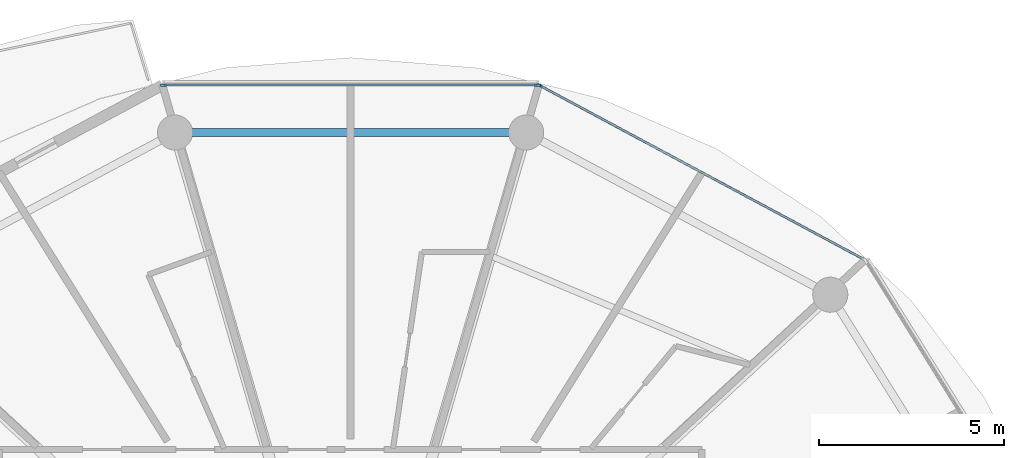
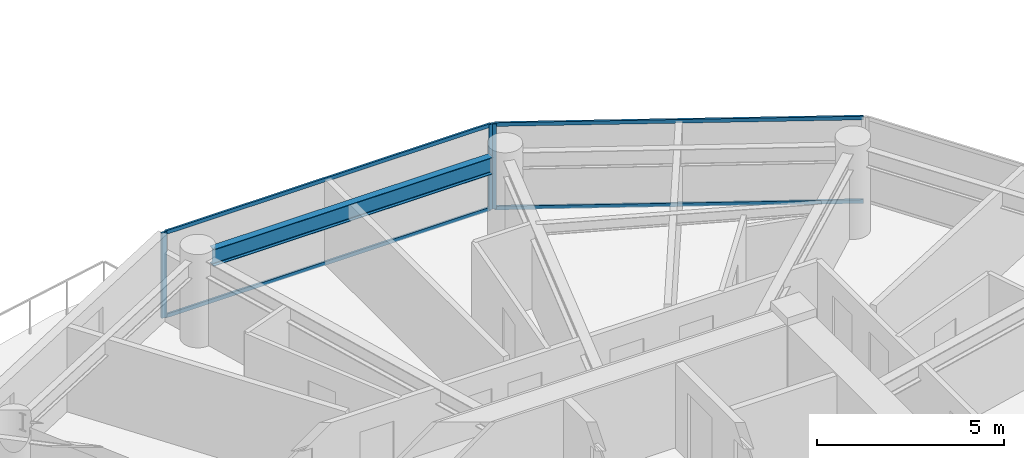
# One storey, part 9 of 27: 7 members, 1 beam, 2 elements without a shape of their own.
"""IFC4 building model written with IfcOpenShell, lengths in metres."""

from ifc_helpers import new_model, si_unit, direction, frame, origin, origin_2d, place, context, subcontext, project, spatial, rectangle, i_section, extrude, source, transform, mapped, material, layer, layer_set, material_profile, profile_set, type_object, type_shapes, element, aggregate, save


model = new_model("IFC4")

# Units and contexts
model_context = context("Model", 3, precision=1e-05, world=origin(), true_north=direction((0.0, 1.0)))
body_context = subcontext(model_context, "Body", "Model", "MODEL_VIEW")
ifc_project = project(units=[si_unit("LENGTHUNIT", "METRE"), si_unit("AREAUNIT", "SQUARE_METRE"), si_unit("VOLUMEUNIT", "CUBIC_METRE"), si_unit("PLANEANGLEUNIT", "RADIAN"), si_unit("MASSUNIT", "GRAM", prefix="KILO")], contexts=[model_context])

# Site, building, storey
site_placement = place(None, origin())
site = spatial("IfcSite", under=ifc_project, at=site_placement, CompositionType="ELEMENT")
building_placement = place(site_placement, origin())
building = spatial("IfcBuilding", under=site, at=building_placement, Name="Norrkilde Senior Care Towers", CompositionType="ELEMENT")
storey_placement = place(building_placement, frame((0.0, 0.0, 30.75)))
storey = spatial("IfcBuildingStorey", under=building, at=storey_placement, Name="L08", CompositionType="ELEMENT", Elevation=30.75)

# Beam
ifc_material_1 = material(Name="Steel S355", Category="steel")
ifc_material_profile_1 = material_profile(ifc_material_1, i_section(OverallWidth=0.2099609375, OverallDepth=0.550048828125, WebThickness=0.010986328125, FlangeThickness=0.01708984375, FilletRadius=0.02392578125, at=origin_2d()), Name="IPE 550")
ifc_profile_set_1 = profile_set([ifc_material_profile_1], Name="Steel S355")
beam_type = type_object("IfcBeamType", Name="Perimeter Ring Spandrel Z1 IPE550", PredefinedType="SPANDREL", material=ifc_profile_set_1)
shared_shape_1 = source(origin(), body_context, "Body", "SweptSolid", [
    extrude(i_section(OverallWidth=0.2099609375, OverallDepth=0.550048828125, WebThickness=0.010986328125, FlangeThickness=0.01708984375, FilletRadius=0.02392578125, at=origin_2d()), origin(), (0.0, 0.0, 1.0), 8.62841796875),
])
type_shapes(beam_type, [shared_shape_1])
beam_placement = place(storey_placement, frame((-23.685791015625, 16.37255859375, 2.514892578125), z_axis=(-1.0, 0.0, 0.0), x_axis=(0.0, -1.0, 0.0)))
element("IfcBeam", 1, at=beam_placement, inside=storey, type_object=beam_type, Name="L08 Drum W Perimeter Spandrel 03", PredefinedType="SPANDREL", context=body_context, shape_type="MappedRepresentation", body=[
    mapped(shared_shape_1, transform((0.0, 0.0, 0.0), x_axis=(1.0, 0.0, 0.0), y_axis=(0.0, 1.0, 0.0), z_axis=(0.0, 0.0, 1.0), scale=1.0)),
])

# Curtain wall, member
ifc_material_2 = material(Name="Triple Low-E Insulated Glazing", Category="glass")
ifc_layer = layer(ifc_material_2, 0.199951171875)
ifc_layer_set = layer_set([ifc_layer], Name="Triple Low-E Insulated Glazing")
curtain_wall_type = type_object("IfcCurtainWallType", Name="CW2 Zone 1 Memory Care Curtain Wall", PredefinedType="NOTDEFINED", material=ifc_layer_set)
curtain_wall_1_placement = place(storey_placement, origin())
curtain_wall_1 = element("IfcCurtainWall", 2, at=curtain_wall_1_placement, inside=storey, type_object=curtain_wall_type, Name="L08 Drum W Curtain Wall 01", PredefinedType="NOTDEFINED")
ifc_material_3 = material(Name="Anodised Aluminium", Category="aluminium")
ifc_material_profile_2 = material_profile(ifc_material_3, rectangle(XDim=0.06494140625, YDim=0.159912109375, at=origin_2d()), Name="ALU MULL 65x160")
ifc_profile_set_2 = profile_set([ifc_material_profile_2], Name="Anodised Aluminium")
member_type_1 = type_object("IfcMemberType", Name="Curtain Wall Mullion Z1-Z2 65x160", PredefinedType="MULLION", material=ifc_profile_set_2)
shared_shape_2 = source(origin(), body_context, "Body", "SweptSolid", [
    extrude(rectangle(XDim=0.06494140625, YDim=0.159912109375, at=origin_2d()), origin(), (0.0, 0.0, 1.0), 2.7900390625),
])
type_shapes(member_type_1, [shared_shape_2])
member_1_placement = place(storey_placement, frame((-22.877685546875, 17.641845703125, 0.0), z_axis=(0.0, 0.0, 1.0), x_axis=(0.472607802456, 0.881272866403, 0.0)))
member_1 = element("IfcMember", 3, at=member_1_placement, type_object=member_type_1, Name="CW-2 mullion 1", PredefinedType="MULLION", context=body_context, shape_type="MappedRepresentation", body=[
    mapped(shared_shape_2, transform((0.0, 0.0, 0.0), x_axis=(1.0, 0.0, 0.0), y_axis=(0.0, 1.0, 0.0), z_axis=(0.0, 0.0, 1.0), scale=1.0)),
])

# Curtain wall, members
curtain_wall_2_placement = place(storey_placement, origin())
curtain_wall_2 = element("IfcCurtainWall", 4, at=curtain_wall_2_placement, inside=storey, type_object=curtain_wall_type, Name="L08 Drum W Curtain Wall 02", PredefinedType="NOTDEFINED")
member_2_placement = place(storey_placement, frame((-33.06103515625, 17.6572265625, 0.0), z_axis=(0.0, 0.0, 1.0), x_axis=(0.0, 1.0, 0.0)))
member_2 = element("IfcMember", 5, at=member_2_placement, type_object=member_type_1, Name="CW-2 mullion 1", PredefinedType="MULLION", context=body_context, shape_type="MappedRepresentation", body=[
    mapped(shared_shape_2, transform((0.0, 0.0, 0.0), x_axis=(1.0, 0.0, 0.0), y_axis=(0.0, 1.0, 0.0), z_axis=(0.0, 0.0, 1.0), scale=1.0)),
])
member_3_placement = place(storey_placement, frame((-22.93896484375, 17.6572265625, 0.0), z_axis=(0.0, 0.0, 1.0), x_axis=(0.0, 1.0, 0.0)))
member_3 = element("IfcMember", 6, at=member_3_placement, type_object=member_type_1, Name="CW-2 mullion 2", PredefinedType="MULLION", context=body_context, shape_type="MappedRepresentation", body=[
    mapped(shared_shape_2, transform((0.0, 0.0, 0.0), x_axis=(1.0, 0.0, 0.0), y_axis=(0.0, 1.0, 0.0), z_axis=(0.0, 0.0, 1.0), scale=1.0)),
])

# Member
ifc_material_profile_3 = material_profile(ifc_material_3, rectangle(XDim=0.06005859375, YDim=0.1201171875, at=origin_2d()), Name="ALU TRAN 60x120")
ifc_profile_set_3 = profile_set([ifc_material_profile_3], Name="Anodised Aluminium")
member_type_2 = type_object("IfcMemberType", Name="Curtain Wall Transom Typical 60x120", PredefinedType="USERDEFINED", material=ifc_profile_set_3)
shared_shape_3 = source(origin(), body_context, "Body", "SweptSolid", [
    extrude(rectangle(XDim=0.06005859375, YDim=0.1201171875, at=origin_2d()), origin(), (0.0, 0.0, 1.0), 9.880859375),
])
member_4_placement = place(storey_placement, frame((-22.84912109375, 17.62646484375, 0.030029296875), z_axis=(0.881267204043, -0.47261836092, 0.0), x_axis=(0.47261836092, 0.881267204043, 0.0)))
member_4 = element("IfcMember", 7, at=member_4_placement, type_object=member_type_2, Name="CW-2 transom 1.1", ObjectType="TRANSOM", PredefinedType="USERDEFINED", context=body_context, shape_type="MappedRepresentation", body=[
    mapped(shared_shape_3, transform((0.0, 0.0, 0.0), x_axis=(1.0, 0.0, 0.0), y_axis=(0.0, 1.0, 0.0), z_axis=(0.0, 0.0, 1.0), scale=1.0)),
])

member_5_placement = place(storey_placement, frame((-22.84912109375, 17.62646484375, 2.760009765625), z_axis=(0.881267204043, -0.47261836092, 0.0), x_axis=(0.47261836092, 0.881267204043, 0.0)))
member_5 = element("IfcMember", 8, at=member_5_placement, type_object=member_type_2, Name="CW-2 transom 1.2", ObjectType="TRANSOM", PredefinedType="USERDEFINED", context=body_context, shape_type="MappedRepresentation", body=[
    mapped(shared_shape_3, transform((0.0, 0.0, 0.0), x_axis=(1.0, 0.0, 0.0), y_axis=(0.0, 1.0, 0.0), z_axis=(0.0, 0.0, 1.0), scale=1.0)),
])

aggregate(curtain_wall_1, [member_1, member_4, member_5])

shared_shape_4 = source(origin(), body_context, "Body", "SweptSolid", [
    extrude(rectangle(XDim=0.06005859375, YDim=0.1201171875, at=origin_2d()), origin(), (0.0, 0.0, 1.0), 10.05712890625),
])
type_shapes(member_type_2, [shared_shape_3, shared_shape_4])
member_6_placement = place(storey_placement, frame((-33.028564453125, 17.6572265625, 0.030029296875), z_axis=(1.0, 0.0, 0.0), x_axis=(0.0, 1.0, 0.0)))
member_6 = element("IfcMember", 9, at=member_6_placement, type_object=member_type_2, Name="CW-2 transom 1.1", ObjectType="TRANSOM", PredefinedType="USERDEFINED", context=body_context, shape_type="MappedRepresentation", body=[
    mapped(shared_shape_4, transform((0.0, 0.0, 0.0), x_axis=(1.0, 0.0, 0.0), y_axis=(0.0, 1.0, 0.0), z_axis=(0.0, 0.0, 1.0), scale=1.0)),
])

member_7_placement = place(storey_placement, frame((-33.028564453125, 17.6572265625, 2.760009765625), z_axis=(1.0, 0.0, 0.0), x_axis=(0.0, 1.0, 0.0)))
member_7 = element("IfcMember", 10, at=member_7_placement, type_object=member_type_2, Name="CW-2 transom 1.2", ObjectType="TRANSOM", PredefinedType="USERDEFINED", context=body_context, shape_type="MappedRepresentation", body=[
    mapped(shared_shape_4, transform((0.0, 0.0, 0.0), x_axis=(1.0, 0.0, 0.0), y_axis=(0.0, 1.0, 0.0), z_axis=(0.0, 0.0, 1.0), scale=1.0)),
])

aggregate(curtain_wall_2, [member_2, member_3, member_6, member_7])

save(model, "model.ifc")
